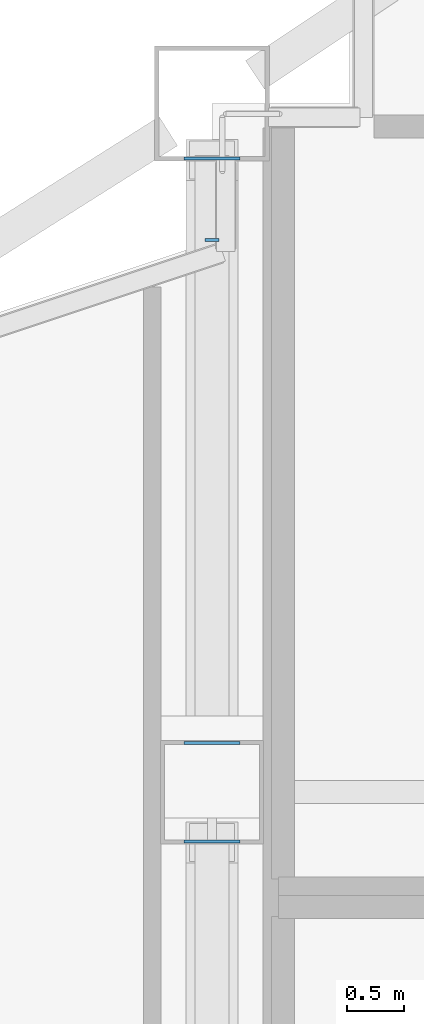
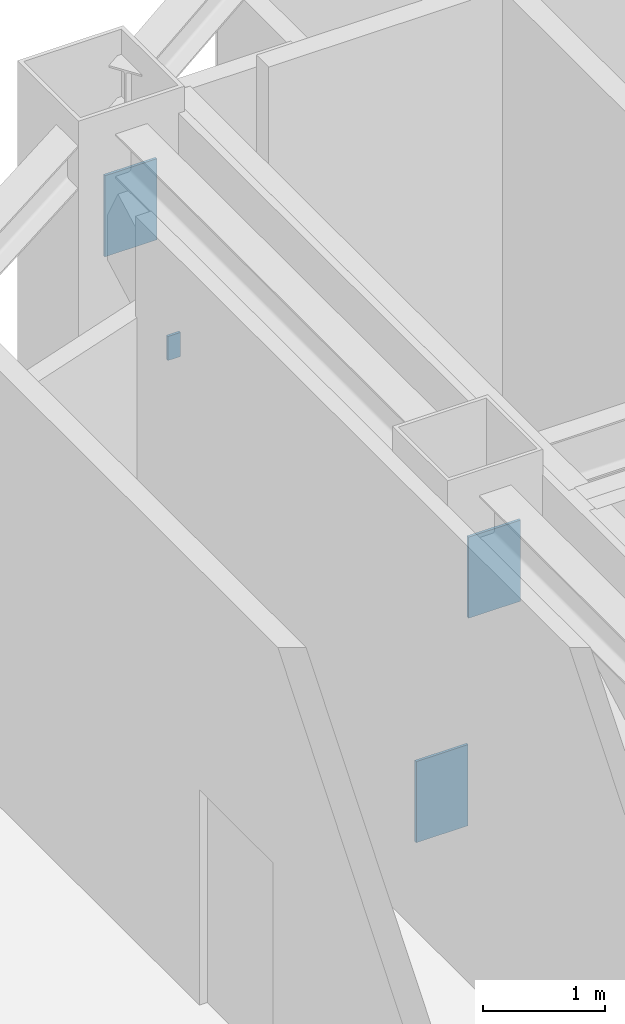
# One storey, part 12 of 24: 4 plates.
"""IFC4 building model written with IfcOpenShell, lengths in metres."""

import ifcopenshell
import ifcopenshell.guid

model = None  # the IFC model being written
_history = None  # IfcOwnerHistory: only IFC2X3 demands one
_inside = {}  # id of a spatial element -> (the spatial element, [elements in it])
_under = {}  # id of a project, library or spatial element -> (it, [spatial elements below it])
_declared = {}  # id of a project -> (the project, [libraries it declares])
_typed = {}  # id of a type object -> (the type object, [elements of that type])
_made_of = {}  # id of a material, layer set ... -> (it, [elements and type objects made of it])


def new_model(schema):
    """Start an empty IFC model of exactly this schema.

    Asked for "IFC4X3", IfcOpenShell would pick the latest addendum, in which some entities
    have other attributes; the version numbers below select the first issue.
    IFC2X3 requires an IfcOwnerHistory on every rooted entity: one is made here for all.
    """
    global model, _history
    if schema == "IFC4X3":
        model = ifcopenshell.file(schema_version=(4, 3, 0, 0))
    else:
        model = ifcopenshell.file(schema=schema)
    _inside.clear()
    _under.clear()
    _declared.clear()
    _typed.clear()
    _made_of.clear()
    _history = None
    if model.schema == "IFC2X3":
        org = make("IfcOrganization", Name="unknown")
        user = make(
            "IfcPersonAndOrganization",
            ThePerson=make("IfcPerson", FamilyName="unknown"),
            TheOrganization=org,
        )
        app = make(
            "IfcApplication",
            ApplicationDeveloper=org,
            Version="unknown",
            ApplicationFullName="unknown",
            ApplicationIdentifier="unknown",
        )
        _history = make(
            "IfcOwnerHistory",
            OwningUser=user,
            OwningApplication=app,
            ChangeAction="ADDED",
            CreationDate=0,
        )
    return model


def make(cls, **values):
    """One entity of the class cls with the attributes given. An attribute that is None is left unset."""
    return model.create_entity(
        cls, **{name: value for name, value in values.items() if value is not None}
    )


def rooted(cls, **values):
    """An entity with a GlobalId (a new one), such as an element, a storey or a relation."""
    return make(cls, GlobalId=ifcopenshell.guid.new(), OwnerHistory=_history, **values)


def si_unit(unit_type, name, prefix=None):
    """IfcSIUnit, for example si_unit("LENGTHUNIT", "METRE", prefix="MILLI")."""
    return make("IfcSIUnit", UnitType=unit_type, Prefix=prefix, Name=name)


def assignment(units):
    """IfcUnitAssignment: the units of a project."""
    return None if units is None else make("IfcUnitAssignment", Units=units)


def point(xyz):
    """IfcCartesianPoint."""
    return None if xyz is None else make("IfcCartesianPoint", Coordinates=xyz)


def direction(xyz):
    """IfcDirection."""
    return None if xyz is None else make("IfcDirection", DirectionRatios=xyz)


def frame(location, z_axis=None, x_axis=None):
    """IfcAxis2Placement3D, a coordinate frame: its origin and axes. An axis left out is left unset."""
    return make(
        "IfcAxis2Placement3D",
        Location=point(location),
        Axis=direction(z_axis),
        RefDirection=direction(x_axis),
    )


def frame_2d(location, x_axis=None):
    """IfcAxis2Placement2D, a coordinate frame in the plane: its origin and x axis."""
    return make(
        "IfcAxis2Placement2D", Location=point(location), RefDirection=direction(x_axis)
    )


def origin():
    """The frame at (0, 0, 0) with its axes left unset."""
    return frame((0.0, 0.0, 0.0))


def origin_2d():
    """The frame at (0, 0) in the plane with its x axis left unset."""
    return frame_2d((0.0, 0.0))


def place(relative_to, where):
    """IfcLocalPlacement: puts the frame where relative to a parent placement (None: the world)."""
    return make(
        "IfcLocalPlacement", PlacementRelTo=relative_to, RelativePlacement=where
    )


def context(
    kind, dimensions, precision=None, world=None, true_north=None, identifier=None
):
    """IfcGeometricRepresentationContext, for example the 3D "Model" context."""
    return make(
        "IfcGeometricRepresentationContext",
        ContextIdentifier=identifier,
        ContextType=kind,
        CoordinateSpaceDimension=dimensions,
        Precision=precision,
        WorldCoordinateSystem=world,
        TrueNorth=true_north,
    )


def subcontext(parent, identifier, kind, view, scale=None):
    """IfcGeometricRepresentationSubContext, for example "Body" below "Model"."""
    return make(
        "IfcGeometricRepresentationSubContext",
        ContextIdentifier=identifier,
        ContextType=kind,
        ParentContext=parent,
        TargetScale=scale,
        TargetView=view,
    )


def project(units=None, contexts=None):
    """IfcProject with its units and contexts."""
    return rooted(
        "IfcProject",
        Name="project",
        RepresentationContexts=contexts,
        UnitsInContext=assignment(units),
    )


def spatial(cls, under=None, at=None, **own):
    """A site, building, storey or space (cls), placed at a placement, below another one or the project."""
    s = rooted(cls, ObjectPlacement=at, **own)
    if under is not None:
        _under.setdefault(under.id(), (under, []))[1].append(s)
    return s


def profile(cls, at=None, kind="AREA", **sizes):
    """A parametric profile (cls). Its sizes go by their IFC names, for example OverallWidth=200.0."""
    return make(cls, ProfileType=kind, Position=at, **sizes)


def rectangle(**sizes):
    """IfcRectangleProfileDef."""
    return profile("IfcRectangleProfileDef", **sizes)


def extrude(swept, where, along, depth):
    """IfcExtrudedAreaSolid: the profile swept, set in the frame where, extruded along a direction by depth."""
    return make(
        "IfcExtrudedAreaSolid",
        SweptArea=swept,
        Position=where,
        ExtrudedDirection=direction(along),
        Depth=depth,
    )


def shape(context_of_items, identifier, shape_type, items):
    """IfcShapeRepresentation: the items that make up one representation, for example the "Body"."""
    return make(
        "IfcShapeRepresentation",
        ContextOfItems=context_of_items,
        RepresentationIdentifier=identifier,
        RepresentationType=shape_type,
        Items=items,
    )


def material(Name=None, Category=None):
    """IfcMaterial."""
    return make("IfcMaterial", Name=Name, Category=Category)


def layer(
    of_material, thickness, ventilated=None, Name=None, Category=None, Priority=None
):
    """IfcMaterialLayer: one layer of a wall or slab, of a material (None: an air gap)."""
    return make(
        "IfcMaterialLayer",
        Material=of_material,
        LayerThickness=thickness,
        IsVentilated=ventilated,
        Name=Name,
        Category=Category,
        Priority=Priority,
    )


def layer_set(layers, Name=None):
    """IfcMaterialLayerSet."""
    return make("IfcMaterialLayerSet", MaterialLayers=layers, LayerSetName=Name)


def made_of(thing, what):
    """Note that an element or type object is made of a material, layer set ...; save() writes the relation."""
    if what is not None:
        _made_of.setdefault(what.id(), (what, []))[1].append(thing)
    return thing


def type_object(cls, material=None, **own):
    """A type object (cls), such as IfcWallType, which elements share."""
    return made_of(rooted(cls, **own), material)


def element(
    cls,
    number,
    at=None,
    inside=None,
    cuts=None,
    type_object=None,
    material=None,
    context=None,
    identifier="Body",
    shape_type=None,
    held_by="IfcProductDefinitionShape",
    body=None,
    shapes=None,
    **own,
):
    """One element of the class cls, such as IfcWall. Its Tag is "e" and its number.

    at: its placement. inside: the storey or other place that contains it. cuts: it is an
    opening in that element (IfcRelVoidsElement). A single representation is given by context,
    identifier, shape_type and body (its items); several are given by shapes. held_by: the class
    of the entity that holds the representations. save() writes the other relations.
    """
    e = rooted(cls, Tag="e%d" % number, ObjectPlacement=at, **own)
    if body is not None:
        shapes = [shape(context, identifier, shape_type, body)]
    if shapes is not None:
        e.Representation = make(held_by, Representations=shapes)
    if inside is not None:
        _inside.setdefault(inside.id(), (inside, []))[1].append(e)
    if cuts is not None:
        rooted(
            "IfcRelVoidsElement", RelatingBuildingElement=cuts, RelatedOpeningElement=e
        )
    if type_object is not None:
        _typed.setdefault(type_object.id(), (type_object, []))[1].append(e)
    return made_of(e, material)


def aggregate(whole, parts):
    """IfcRelAggregates: a whole, such as a stair, and the parts it consists of."""
    return rooted("IfcRelAggregates", RelatingObject=whole, RelatedObjects=parts)


def save(model, path):
    """Write the relations noted so far, then the file.

    IfcRelAggregates (storeys below a building ...), IfcRelContainedInSpatialStructure (elements
    in a storey), IfcRelDefinesByType, IfcRelAssociatesMaterial and IfcRelDeclares: one each for
    every whole, place, type object, material and project.
    """
    for whole, parts in _under.values():
        aggregate(whole, parts)
    for where, things in _inside.values():
        rooted(
            "IfcRelContainedInSpatialStructure",
            RelatedElements=things,
            RelatingStructure=where,
        )
    for kind, things in _typed.values():
        rooted("IfcRelDefinesByType", RelatedObjects=things, RelatingType=kind)
    for what, things in _made_of.values():
        rooted("IfcRelAssociatesMaterial", RelatedObjects=things, RelatingMaterial=what)
    for by, libraries in _declared.values():
        rooted("IfcRelDeclares", RelatingContext=by, RelatedDefinitions=libraries)
    model.write(path)


model = new_model("IFC4")

# Units and contexts
model_context = context("Model", 3, precision=1e-05, world=origin(), true_north=direction((0.0, 1.0)))
body_context = subcontext(model_context, "Body", "Model", "MODEL_VIEW")
ifc_project = project(units=[si_unit("LENGTHUNIT", "METRE"), si_unit("AREAUNIT", "SQUARE_METRE"), si_unit("VOLUMEUNIT", "CUBIC_METRE"), si_unit("PLANEANGLEUNIT", "RADIAN"), si_unit("MASSUNIT", "GRAM", prefix="KILO")], contexts=[model_context])

# Site, building, storey
site_placement = place(None, origin())
site = spatial("IfcSite", under=ifc_project, at=site_placement, CompositionType="ELEMENT")
building_placement = place(site_placement, origin())
building = spatial("IfcBuilding", under=site, at=building_placement, Name="Haolan Belvedere Tower", CompositionType="ELEMENT")
storey_placement = place(building_placement, frame((0.0, 0.0, 160.0)))
storey = spatial("IfcBuildingStorey", under=building, at=storey_placement, Name="L40", CompositionType="ELEMENT", Elevation=160.0)

# Plates
ifc_material = material(Name="Steel Q355B", Category="steel")
ifc_layer = layer(ifc_material, 0.02490234375, Name="Steel Q355B")
ifc_layer_set = layer_set([ifc_layer], Name="Steel Q355B")
plate_type = type_object("IfcPlateType", Name="PL-CAP-25", PredefinedType="SHEET", material=ifc_layer_set)
for number, where, z_axis, x_axis, name in (
    (1, (24.0, 39.1708984375, 3.15087890625), (0.0, 0.0, 1.0), (-1.0, 0.0, 0.0), "Hollow steel end-cap plate BT-W3-L40-CAP1"),
    (2, (24.0, 40.029052734375, 0.388916015625), (0.0, 0.0, 1.0), (1.0, 0.0, 0.0), "Hollow steel end-cap plate BT-W4-L40-CAP0"),
    (3, (24.0, 45.12109375, 3.15087890625), (0.0, 0.0, 1.0), (-1.0, 0.0, 0.0), "Hollow steel end-cap plate BT-W4-L40-CAP1"),
):
    element("IfcPlate", number, at=place(storey_placement, frame(where, z_axis=z_axis, x_axis=x_axis)), inside=storey, type_object=plate_type, Name=name, PredefinedType="SHEET", context=body_context, shape_type="SweptSolid", body=[
        extrude(rectangle(XDim=0.489990234375, YDim=0.02490234375, at=origin_2d()), origin(), (0.0, 0.0, 1.0), 0.81005859375),
    ])
plate_placement = place(storey_placement, frame((24.0, 44.41259765625, 2.47998046875), z_axis=(0.0, 0.0, 1.0), x_axis=(-1.0, 0.0, 0.0)))
element("IfcPlate", 4, at=plate_placement, inside=storey, type_object=plate_type, Name="Hollow steel end-cap plate GIRT-L40-GW-CAP1", PredefinedType="SHEET", context=body_context, shape_type="SweptSolid", body=[
    extrude(rectangle(XDim=0.1201171875, YDim=0.02490234375, at=origin_2d()), origin(), (0.0, 0.0, 1.0), 0.239990234375),
])

save(model, "model.ifc")
